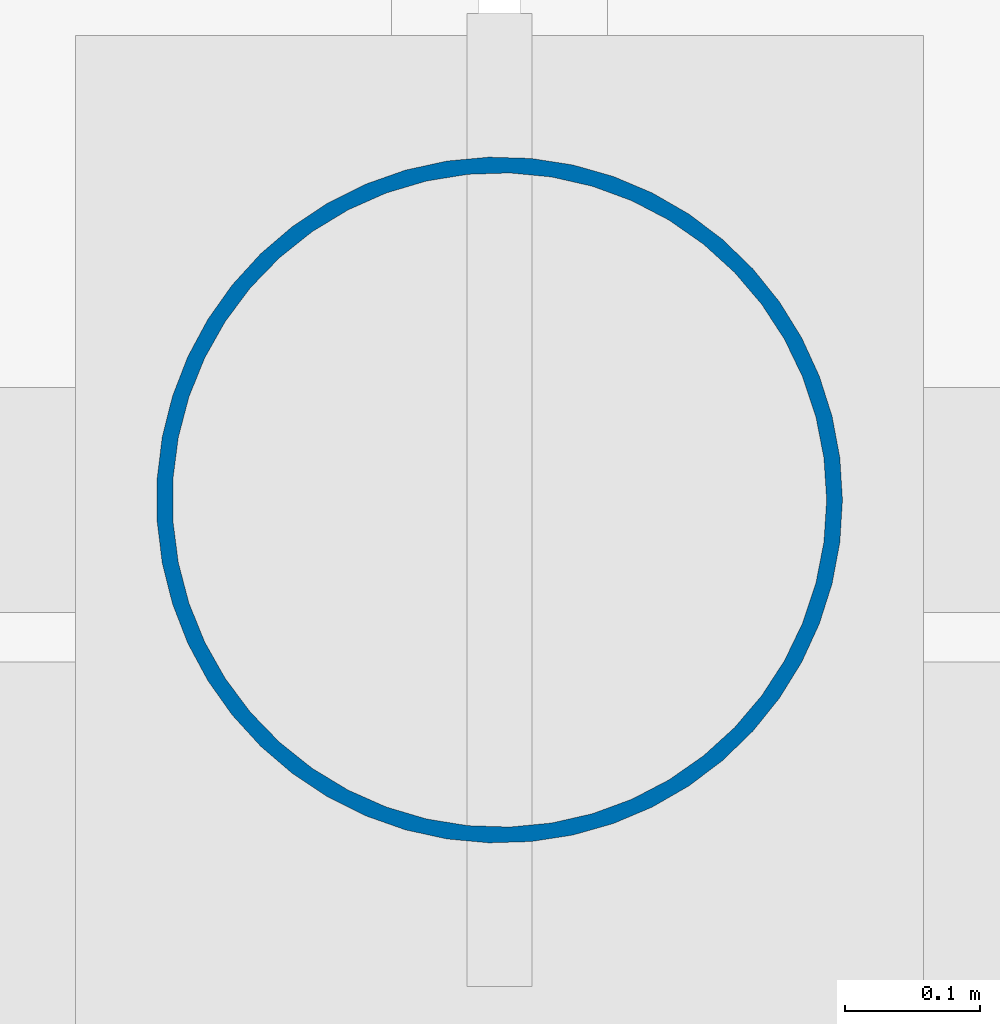
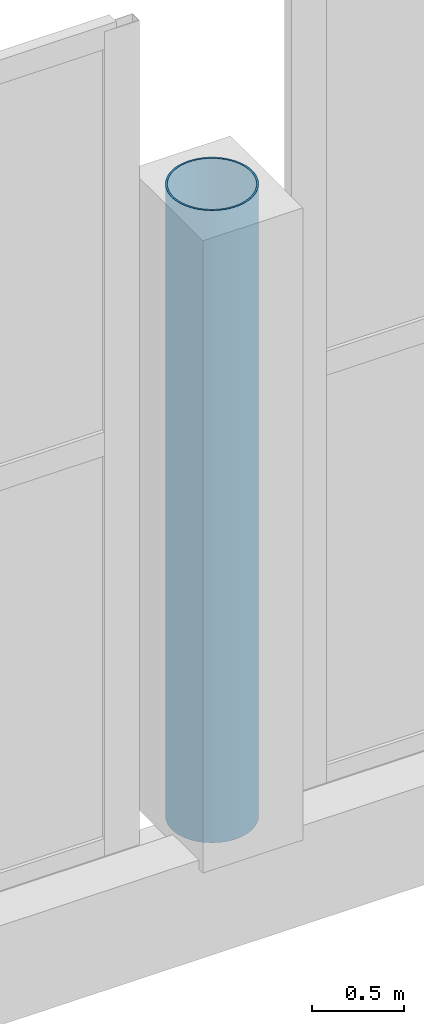
# One storey, part 2 of 120: 1 column.
"""IFC4 building model written with IfcOpenShell, lengths in metres."""

from ifc_helpers import new_model, si_unit, direction, frame, origin, origin_2d, place, context, subcontext, project, spatial, hollow_circle, extrude, material, material_profile, profile_set, type_object, element, save


model = new_model("IFC4")

# Units and contexts
model_context = context("Model", 3, precision=1e-05, world=origin(), true_north=direction((0.0, 1.0)))
body_context = subcontext(model_context, "Body", "Model", "MODEL_VIEW")
ifc_project = project(units=[si_unit("LENGTHUNIT", "METRE"), si_unit("AREAUNIT", "SQUARE_METRE"), si_unit("VOLUMEUNIT", "CUBIC_METRE"), si_unit("PLANEANGLEUNIT", "RADIAN"), si_unit("MASSUNIT", "GRAM", prefix="KILO")], contexts=[model_context])

# Site, building, storey
site_placement = place(None, origin())
site = spatial("IfcSite", under=ifc_project, at=site_placement, CompositionType="ELEMENT")
building_placement = place(site_placement, origin())
building = spatial("IfcBuilding", under=site, at=building_placement, Name="Caurita Quay Ferry Terminal", CompositionType="ELEMENT")
storey_placement = place(building_placement, frame((0.0, 0.0, 9.89990234375)))
storey = spatial("IfcBuildingStorey", under=building, at=storey_placement, Name="L02", CompositionType="ELEMENT", Elevation=9.89990234375)

# Column
ifc_material = material(Name="Hollow structural steel ASTM A500 Gr. C", Category="steel")
ifc_material_profile = material_profile(ifc_material, hollow_circle(Radius=0.25390625, WallThickness=0.01171875, at=origin_2d()), Name="HSS20.000X0.500")
ifc_profile_set = profile_set([ifc_material_profile], Name="Hollow structural steel ASTM A500 Gr. C")
column_type = type_object("IfcColumnType", Name="COL-MST-01", PredefinedType="COLUMN", material=ifc_profile_set)
column_placement = place(storey_placement, frame((55.0, 34.60009765625, 0.0), z_axis=(0.0, 0.0, 1.0), x_axis=(1.0, 0.0, 0.0)))
element("IfcColumn", 1, at=column_placement, inside=storey, type_object=column_type, Name="L02 Column V1-MST-06-S", PredefinedType="COLUMN", context=body_context, shape_type="SweptSolid", body=[
    extrude(hollow_circle(Radius=0.25390625, WallThickness=0.01171875, at=origin_2d()), origin(), (0.0, 0.0, 1.0), 4.2001953125),
])

save(model, "model.ifc")
